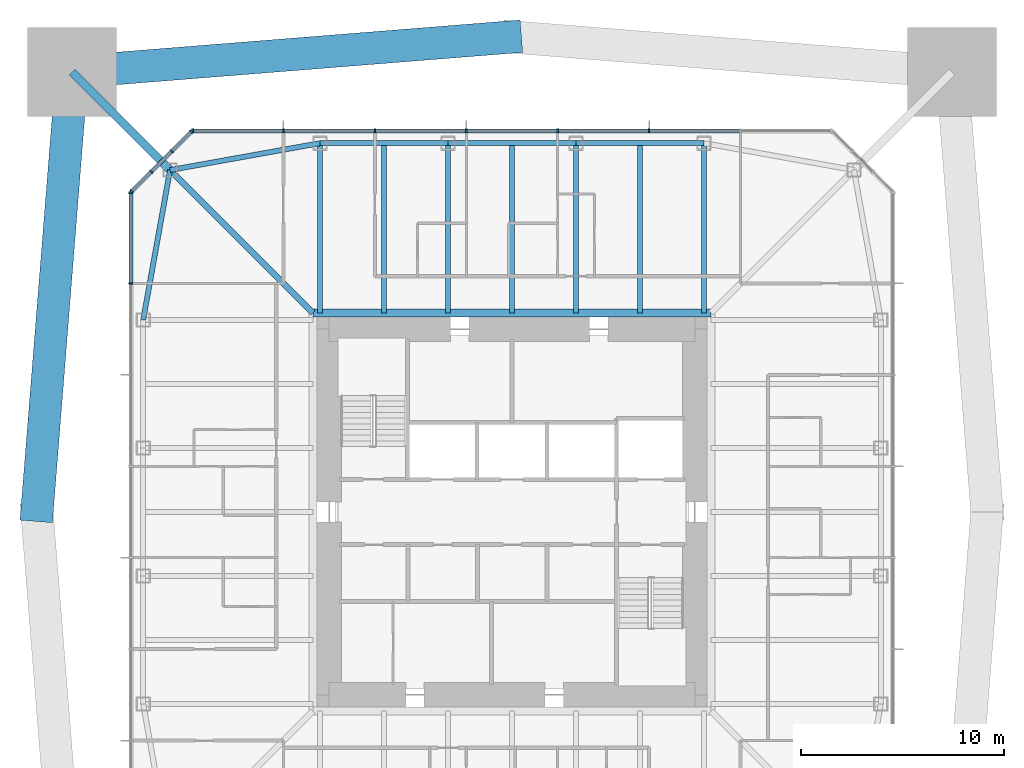
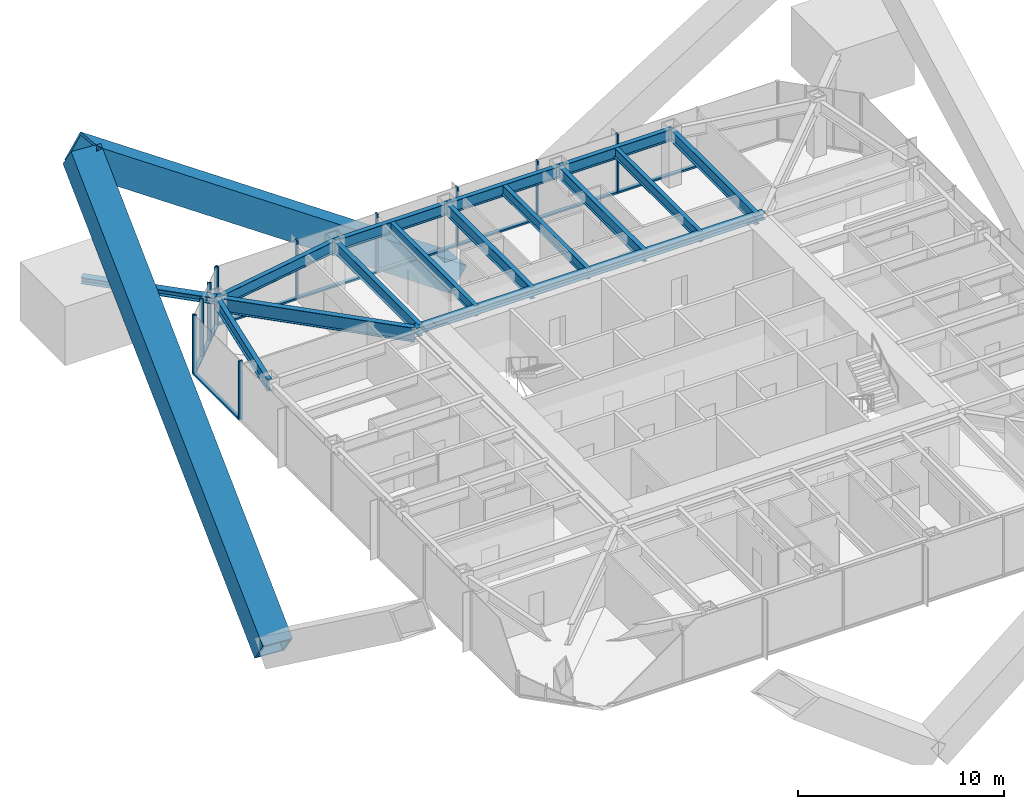
# One storey, part 5 of 13: 25 members, 14 beams, 3 elements without a shape of their own.
"""IFC4 building model written with IfcOpenShell, lengths in metres."""

import ifcopenshell
import ifcopenshell.guid

model = None  # the IFC model being written
_history = None  # IfcOwnerHistory: only IFC2X3 demands one
_inside = {}  # id of a spatial element -> (the spatial element, [elements in it])
_under = {}  # id of a project, library or spatial element -> (it, [spatial elements below it])
_declared = {}  # id of a project -> (the project, [libraries it declares])
_typed = {}  # id of a type object -> (the type object, [elements of that type])
_made_of = {}  # id of a material, layer set ... -> (it, [elements and type objects made of it])


def new_model(schema):
    """Start an empty IFC model of exactly this schema.

    Asked for "IFC4X3", IfcOpenShell would pick the latest addendum, in which some entities
    have other attributes; the version numbers below select the first issue.
    IFC2X3 requires an IfcOwnerHistory on every rooted entity: one is made here for all.
    """
    global model, _history
    if schema == "IFC4X3":
        model = ifcopenshell.file(schema_version=(4, 3, 0, 0))
    else:
        model = ifcopenshell.file(schema=schema)
    _inside.clear()
    _under.clear()
    _declared.clear()
    _typed.clear()
    _made_of.clear()
    _history = None
    if model.schema == "IFC2X3":
        org = make("IfcOrganization", Name="unknown")
        user = make(
            "IfcPersonAndOrganization",
            ThePerson=make("IfcPerson", FamilyName="unknown"),
            TheOrganization=org,
        )
        app = make(
            "IfcApplication",
            ApplicationDeveloper=org,
            Version="unknown",
            ApplicationFullName="unknown",
            ApplicationIdentifier="unknown",
        )
        _history = make(
            "IfcOwnerHistory",
            OwningUser=user,
            OwningApplication=app,
            ChangeAction="ADDED",
            CreationDate=0,
        )
    return model


def make(cls, **values):
    """One entity of the class cls with the attributes given. An attribute that is None is left unset."""
    return model.create_entity(
        cls, **{name: value for name, value in values.items() if value is not None}
    )


def rooted(cls, **values):
    """An entity with a GlobalId (a new one), such as an element, a storey or a relation."""
    return make(cls, GlobalId=ifcopenshell.guid.new(), OwnerHistory=_history, **values)


def si_unit(unit_type, name, prefix=None):
    """IfcSIUnit, for example si_unit("LENGTHUNIT", "METRE", prefix="MILLI")."""
    return make("IfcSIUnit", UnitType=unit_type, Prefix=prefix, Name=name)


def assignment(units):
    """IfcUnitAssignment: the units of a project."""
    return None if units is None else make("IfcUnitAssignment", Units=units)


def point(xyz):
    """IfcCartesianPoint."""
    return None if xyz is None else make("IfcCartesianPoint", Coordinates=xyz)


def direction(xyz):
    """IfcDirection."""
    return None if xyz is None else make("IfcDirection", DirectionRatios=xyz)


def frame(location, z_axis=None, x_axis=None):
    """IfcAxis2Placement3D, a coordinate frame: its origin and axes. An axis left out is left unset."""
    return make(
        "IfcAxis2Placement3D",
        Location=point(location),
        Axis=direction(z_axis),
        RefDirection=direction(x_axis),
    )


def frame_2d(location, x_axis=None):
    """IfcAxis2Placement2D, a coordinate frame in the plane: its origin and x axis."""
    return make(
        "IfcAxis2Placement2D", Location=point(location), RefDirection=direction(x_axis)
    )


def origin():
    """The frame at (0, 0, 0) with its axes left unset."""
    return frame((0.0, 0.0, 0.0))


def origin_2d():
    """The frame at (0, 0) in the plane with its x axis left unset."""
    return frame_2d((0.0, 0.0))


def place(relative_to, where):
    """IfcLocalPlacement: puts the frame where relative to a parent placement (None: the world)."""
    return make(
        "IfcLocalPlacement", PlacementRelTo=relative_to, RelativePlacement=where
    )


def context(
    kind, dimensions, precision=None, world=None, true_north=None, identifier=None
):
    """IfcGeometricRepresentationContext, for example the 3D "Model" context."""
    return make(
        "IfcGeometricRepresentationContext",
        ContextIdentifier=identifier,
        ContextType=kind,
        CoordinateSpaceDimension=dimensions,
        Precision=precision,
        WorldCoordinateSystem=world,
        TrueNorth=true_north,
    )


def subcontext(parent, identifier, kind, view, scale=None):
    """IfcGeometricRepresentationSubContext, for example "Body" below "Model"."""
    return make(
        "IfcGeometricRepresentationSubContext",
        ContextIdentifier=identifier,
        ContextType=kind,
        ParentContext=parent,
        TargetScale=scale,
        TargetView=view,
    )


def project(units=None, contexts=None):
    """IfcProject with its units and contexts."""
    return rooted(
        "IfcProject",
        Name="project",
        RepresentationContexts=contexts,
        UnitsInContext=assignment(units),
    )


def spatial(cls, under=None, at=None, **own):
    """A site, building, storey or space (cls), placed at a placement, below another one or the project."""
    s = rooted(cls, ObjectPlacement=at, **own)
    if under is not None:
        _under.setdefault(under.id(), (under, []))[1].append(s)
    return s


def profile(cls, at=None, kind="AREA", **sizes):
    """A parametric profile (cls). Its sizes go by their IFC names, for example OverallWidth=200.0."""
    return make(cls, ProfileType=kind, Position=at, **sizes)


def rectangle(**sizes):
    """IfcRectangleProfileDef."""
    return profile("IfcRectangleProfileDef", **sizes)


def hollow_rectangle(**sizes):
    """IfcRectangleHollowProfileDef."""
    return profile("IfcRectangleHollowProfileDef", **sizes)


def i_section(**sizes):
    """IfcIShapeProfileDef."""
    return profile("IfcIShapeProfileDef", **sizes)


def extrude(swept, where, along, depth):
    """IfcExtrudedAreaSolid: the profile swept, set in the frame where, extruded along a direction by depth."""
    return make(
        "IfcExtrudedAreaSolid",
        SweptArea=swept,
        Position=where,
        ExtrudedDirection=direction(along),
        Depth=depth,
    )


def shape(context_of_items, identifier, shape_type, items):
    """IfcShapeRepresentation: the items that make up one representation, for example the "Body"."""
    return make(
        "IfcShapeRepresentation",
        ContextOfItems=context_of_items,
        RepresentationIdentifier=identifier,
        RepresentationType=shape_type,
        Items=items,
    )


def material(Name=None, Category=None):
    """IfcMaterial."""
    return make("IfcMaterial", Name=Name, Category=Category)


def material_profile(
    of_material, cross_section, Name=None, Category=None, Priority=None
):
    """IfcMaterialProfile: a cross section and its material."""
    return make(
        "IfcMaterialProfile",
        Name=Name,
        Material=of_material,
        Profile=cross_section,
        Priority=Priority,
        Category=Category,
    )


def profile_set(profiles, Name=None, composite=None):
    """IfcMaterialProfileSet."""
    return make(
        "IfcMaterialProfileSet",
        Name=Name,
        MaterialProfiles=profiles,
        CompositeProfile=composite,
    )


def made_of(thing, what):
    """Note that an element or type object is made of a material, layer set ...; save() writes the relation."""
    if what is not None:
        _made_of.setdefault(what.id(), (what, []))[1].append(thing)
    return thing


def type_object(cls, material=None, **own):
    """A type object (cls), such as IfcWallType, which elements share."""
    return made_of(rooted(cls, **own), material)


def element(
    cls,
    number,
    at=None,
    inside=None,
    cuts=None,
    type_object=None,
    material=None,
    context=None,
    identifier="Body",
    shape_type=None,
    held_by="IfcProductDefinitionShape",
    body=None,
    shapes=None,
    **own,
):
    """One element of the class cls, such as IfcWall. Its Tag is "e" and its number.

    at: its placement. inside: the storey or other place that contains it. cuts: it is an
    opening in that element (IfcRelVoidsElement). A single representation is given by context,
    identifier, shape_type and body (its items); several are given by shapes. held_by: the class
    of the entity that holds the representations. save() writes the other relations.
    """
    e = rooted(cls, Tag="e%d" % number, ObjectPlacement=at, **own)
    if body is not None:
        shapes = [shape(context, identifier, shape_type, body)]
    if shapes is not None:
        e.Representation = make(held_by, Representations=shapes)
    if inside is not None:
        _inside.setdefault(inside.id(), (inside, []))[1].append(e)
    if cuts is not None:
        rooted(
            "IfcRelVoidsElement", RelatingBuildingElement=cuts, RelatedOpeningElement=e
        )
    if type_object is not None:
        _typed.setdefault(type_object.id(), (type_object, []))[1].append(e)
    return made_of(e, material)


def aggregate(whole, parts):
    """IfcRelAggregates: a whole, such as a stair, and the parts it consists of."""
    return rooted("IfcRelAggregates", RelatingObject=whole, RelatedObjects=parts)


def save(model, path):
    """Write the relations noted so far, then the file.

    IfcRelAggregates (storeys below a building ...), IfcRelContainedInSpatialStructure (elements
    in a storey), IfcRelDefinesByType, IfcRelAssociatesMaterial and IfcRelDeclares: one each for
    every whole, place, type object, material and project.
    """
    for whole, parts in _under.values():
        aggregate(whole, parts)
    for where, things in _inside.values():
        rooted(
            "IfcRelContainedInSpatialStructure",
            RelatedElements=things,
            RelatingStructure=where,
        )
    for kind, things in _typed.values():
        rooted("IfcRelDefinesByType", RelatedObjects=things, RelatingType=kind)
    for what, things in _made_of.values():
        rooted("IfcRelAssociatesMaterial", RelatedObjects=things, RelatingMaterial=what)
    for by, libraries in _declared.values():
        rooted("IfcRelDeclares", RelatingContext=by, RelatedDefinitions=libraries)
    model.write(path)


model = new_model("IFC4")

# Units and contexts
model_context = context("Model", 3, precision=1e-05, world=origin(), true_north=direction((0.0, 1.0)))
body_context = subcontext(model_context, "Body", "Model", "MODEL_VIEW")
ifc_project = project(units=[si_unit("LENGTHUNIT", "METRE"), si_unit("AREAUNIT", "SQUARE_METRE"), si_unit("VOLUMEUNIT", "CUBIC_METRE"), si_unit("PLANEANGLEUNIT", "RADIAN"), si_unit("MASSUNIT", "GRAM", prefix="KILO")], contexts=[model_context])

# Site, building, storey
site_placement = place(None, origin())
site = spatial("IfcSite", under=ifc_project, at=site_placement, CompositionType="ELEMENT")
building_placement = place(site_placement, origin())
building = spatial("IfcBuilding", under=site, at=building_placement, Name="Iwan Alto Co-Living Towers", CompositionType="ELEMENT")
storey_placement = place(building_placement, frame((0.0, 0.0, 167.0)))
storey = spatial("IfcBuildingStorey", under=building, at=storey_placement, Name="L45", CompositionType="ELEMENT", Elevation=167.0)

# Curtain wall, members
ifc_material_1 = material(Name="Bronze aluminium unitised frame", Category="aluminium")
curtain_wall_type_1 = type_object("IfcCurtainWallType", Name="CURTAIN WALL CW-A", PredefinedType="NOTDEFINED", material=ifc_material_1)
curtain_wall_1_placement = place(storey_placement, origin())
curtain_wall_1 = element("IfcCurtainWall", 1, at=curtain_wall_1_placement, inside=storey, type_object=curtain_wall_type_1, Name="T1 curtain wall N L45", PredefinedType="NOTDEFINED")
ifc_material_2 = material(Name="Aluminium 6063-T6 bronze anodised", Category="aluminium")
ifc_material_profile_1 = material_profile(ifc_material_2, rectangle(XDim=0.199951171875, YDim=0.080078125, at=origin_2d()), Name="AL 80X200")
ifc_profile_set_1 = profile_set([ifc_material_profile_1], Name="Aluminium 6063-T6 bronze anodised")
member_type_1 = type_object("IfcMemberType", Name="CW-A MULLION 80X200", PredefinedType="MULLION", material=ifc_profile_set_1)
member_1_placement = place(storey_placement, frame((6.75, 18.75, 0.0), z_axis=(0.0, 0.0, 1.0), x_axis=(0.0, -1.0, 0.0)))
member_1 = element("IfcMember", 2, at=member_1_placement, type_object=member_type_1, Name="CW-A mullion 3", PredefinedType="MULLION", context=body_context, shape_type="SweptSolid", body=[
    extrude(rectangle(XDim=0.199951171875, YDim=0.080078125, at=origin_2d()), origin(), (0.0, 0.0, 1.0), 3.5),
])
member_2_placement = place(storey_placement, frame((2.25, 18.75, 0.0), z_axis=(0.0, 0.0, 1.0), x_axis=(0.0, -1.0, 0.0)))
member_2 = element("IfcMember", 3, at=member_2_placement, type_object=member_type_1, Name="CW-A mullion 4", PredefinedType="MULLION", context=body_context, shape_type="SweptSolid", body=[
    extrude(rectangle(XDim=0.199951171875, YDim=0.080078125, at=origin_2d()), origin(), (0.0, 0.0, 1.0), 3.5),
])
member_3_placement = place(storey_placement, frame((-2.25, 18.75, 0.0), z_axis=(0.0, 0.0, 1.0), x_axis=(0.0, -1.0, 0.0)))
member_3 = element("IfcMember", 4, at=member_3_placement, type_object=member_type_1, Name="CW-A mullion 5", PredefinedType="MULLION", context=body_context, shape_type="SweptSolid", body=[
    extrude(rectangle(XDim=0.199951171875, YDim=0.080078125, at=origin_2d()), origin(), (0.0, 0.0, 1.0), 3.5),
])
member_4_placement = place(storey_placement, frame((-6.75, 18.75, 0.0), z_axis=(0.0, 0.0, 1.0), x_axis=(0.0, -1.0, 0.0)))
member_4 = element("IfcMember", 5, at=member_4_placement, type_object=member_type_1, Name="CW-A mullion 6", PredefinedType="MULLION", context=body_context, shape_type="SweptSolid", body=[
    extrude(rectangle(XDim=0.199951171875, YDim=0.080078125, at=origin_2d()), origin(), (0.0, 0.0, 1.0), 3.5),
])
member_5_placement = place(storey_placement, frame((-11.25, 18.75, 0.0), z_axis=(0.0, 0.0, 1.0), x_axis=(0.0, -1.0, 0.0)))
member_5 = element("IfcMember", 6, at=member_5_placement, type_object=member_type_1, Name="CW-A mullion 7", PredefinedType="MULLION", context=body_context, shape_type="SweptSolid", body=[
    extrude(rectangle(XDim=0.199951171875, YDim=0.080078125, at=origin_2d()), origin(), (0.0, 0.0, 1.0), 3.5),
])
member_6_placement = place(storey_placement, frame((-15.7099609375, 18.75, 0.0), z_axis=(0.0, 0.0, 1.0), x_axis=(0.0, -1.0, 0.0)))
member_6 = element("IfcMember", 7, at=member_6_placement, type_object=member_type_1, Name="CW-A mullion 8", PredefinedType="MULLION", context=body_context, shape_type="SweptSolid", body=[
    extrude(rectangle(XDim=0.199951171875, YDim=0.080078125, at=origin_2d()), origin(), (0.0, 0.0, 1.0), 3.5),
])

curtain_wall_2_placement = place(storey_placement, origin())
curtain_wall_2 = element("IfcCurtainWall", 8, at=curtain_wall_2_placement, inside=storey, type_object=curtain_wall_type_1, Name="T1 curtain wall W L45", PredefinedType="NOTDEFINED")
member_7_placement = place(storey_placement, frame((-18.75, 15.7099609375, 0.0), z_axis=(0.0, 0.0, 1.0), x_axis=(1.0, 0.0, 0.0)))
member_7 = element("IfcMember", 9, at=member_7_placement, type_object=member_type_1, Name="CW-A mullion 1", PredefinedType="MULLION", context=body_context, shape_type="SweptSolid", body=[
    extrude(rectangle(XDim=0.199951171875, YDim=0.080078125, at=origin_2d()), origin(), (0.0, 0.0, 1.0), 3.5),
])
member_8_placement = place(storey_placement, frame((-18.75, 11.25, 0.0), z_axis=(0.0, 0.0, 1.0), x_axis=(1.0, 0.0, 0.0)))
member_8 = element("IfcMember", 10, at=member_8_placement, type_object=member_type_1, Name="CW-A mullion 2", PredefinedType="MULLION", context=body_context, shape_type="SweptSolid", body=[
    extrude(rectangle(XDim=0.199951171875, YDim=0.080078125, at=origin_2d()), origin(), (0.0, 0.0, 1.0), 3.5),
])

# Member
ifc_material_3 = material(Name="Aluminium 6063-T6 bronze anodised", Category="aluminium")
ifc_material_profile_2 = material_profile(ifc_material_3, rectangle(XDim=0.199951171875, YDim=0.10009765625, at=origin_2d()), Name="AL 200X100")
ifc_profile_set_2 = profile_set([ifc_material_profile_2], Name="Aluminium 6063-T6 bronze anodised")
member_type_2 = type_object("IfcMemberType", Name="CW-A TRANSOM 200X100", PredefinedType="USERDEFINED", material=ifc_profile_set_2)
member_9_placement = place(storey_placement, frame((11.2099609375, 18.75, 0.050048828125), z_axis=(-1.0, 0.0, 0.0), x_axis=(0.0, -1.0, 0.0)))
member_9 = element("IfcMember", 11, at=member_9_placement, type_object=member_type_2, Name="CW-A transom 2.1", ObjectType="TRANSOM", PredefinedType="USERDEFINED", context=body_context, shape_type="SweptSolid", body=[
    extrude(rectangle(XDim=0.199951171875, YDim=0.10009765625, at=origin_2d()), origin(), (0.0, 0.0, 1.0), 4.419921875),
])

member_10_placement = place(storey_placement, frame((6.7099609375, 18.75, 0.050048828125), z_axis=(-1.0, 0.0, 0.0), x_axis=(0.0, -1.0, 0.0)))
member_10 = element("IfcMember", 12, at=member_10_placement, type_object=member_type_2, Name="CW-A transom 3.1", ObjectType="TRANSOM", PredefinedType="USERDEFINED", context=body_context, shape_type="SweptSolid", body=[
    extrude(rectangle(XDim=0.199951171875, YDim=0.10009765625, at=origin_2d()), origin(), (0.0, 0.0, 1.0), 4.419921875),
])

member_11_placement = place(storey_placement, frame((2.2099609375, 18.75, 0.050048828125), z_axis=(-1.0, 0.0, 0.0), x_axis=(0.0, -1.0, 0.0)))
member_11 = element("IfcMember", 13, at=member_11_placement, type_object=member_type_2, Name="CW-A transom 4.1", ObjectType="TRANSOM", PredefinedType="USERDEFINED", context=body_context, shape_type="SweptSolid", body=[
    extrude(rectangle(XDim=0.199951171875, YDim=0.10009765625, at=origin_2d()), origin(), (0.0, 0.0, 1.0), 4.419921875),
])

member_12_placement = place(storey_placement, frame((-2.2900390625, 18.75, 0.050048828125), z_axis=(-1.0, 0.0, 0.0), x_axis=(0.0, -1.0, 0.0)))
member_12 = element("IfcMember", 14, at=member_12_placement, type_object=member_type_2, Name="CW-A transom 5.1", ObjectType="TRANSOM", PredefinedType="USERDEFINED", context=body_context, shape_type="SweptSolid", body=[
    extrude(rectangle(XDim=0.199951171875, YDim=0.10009765625, at=origin_2d()), origin(), (0.0, 0.0, 1.0), 4.419921875),
])

member_13_placement = place(storey_placement, frame((-6.7900390625, 18.75, 0.050048828125), z_axis=(-1.0, 0.0, 0.0), x_axis=(0.0, -1.0, 0.0)))
member_13 = element("IfcMember", 15, at=member_13_placement, type_object=member_type_2, Name="CW-A transom 6.1", ObjectType="TRANSOM", PredefinedType="USERDEFINED", context=body_context, shape_type="SweptSolid", body=[
    extrude(rectangle(XDim=0.199951171875, YDim=0.10009765625, at=origin_2d()), origin(), (0.0, 0.0, 1.0), 4.419921875),
])

member_14_placement = place(storey_placement, frame((-11.2900390625, 18.75, 0.050048828125), z_axis=(-1.0, 0.0, 0.0), x_axis=(0.0, -1.0, 0.0)))
member_14 = element("IfcMember", 16, at=member_14_placement, type_object=member_type_2, Name="CW-A transom 7.1", ObjectType="TRANSOM", PredefinedType="USERDEFINED", context=body_context, shape_type="SweptSolid", body=[
    extrude(rectangle(XDim=0.199951171875, YDim=0.10009765625, at=origin_2d()), origin(), (0.0, 0.0, 1.0), 4.3798828125),
])

aggregate(curtain_wall_1, [member_1, member_2, member_3, member_4, member_5, member_6, member_9, member_10, member_11, member_12, member_13, member_14])

member_15_placement = place(storey_placement, frame((-18.75, 15.669921875, 0.050048828125), z_axis=(0.0, -1.0, 0.0), x_axis=(1.0, 0.0, 0.0)))
member_15 = element("IfcMember", 17, at=member_15_placement, type_object=member_type_2, Name="CW-A transom 1.1", ObjectType="TRANSOM", PredefinedType="USERDEFINED", context=body_context, shape_type="SweptSolid", body=[
    extrude(rectangle(XDim=0.199951171875, YDim=0.10009765625, at=origin_2d()), origin(), (0.0, 0.0, 1.0), 4.3798828125),
])

aggregate(curtain_wall_2, [member_7, member_8, member_15])

# Curtain wall, members
ifc_material_4 = material(Name="Bronze aluminium unitised frame", Category="aluminium")
curtain_wall_type_2 = type_object("IfcCurtainWallType", Name="CURTAIN WALL CW-B", PredefinedType="NOTDEFINED", material=ifc_material_4)
curtain_wall_3_placement = place(storey_placement, origin())
curtain_wall_3 = element("IfcCurtainWall", 18, at=curtain_wall_3_placement, inside=storey, type_object=curtain_wall_type_2, Name="T1 chamfer curtain wall NW L45", PredefinedType="NOTDEFINED")
ifc_material_5 = material(Name="Aluminium 6063-T6 bronze anodised", Category="aluminium")
ifc_material_profile_3 = material_profile(ifc_material_5, rectangle(XDim=0.199951171875, YDim=0.080078125, at=origin_2d()), Name="AL 80X200")
ifc_profile_set_3 = profile_set([ifc_material_profile_3], Name="Aluminium 6063-T6 bronze anodised")
member_type_3 = type_object("IfcMemberType", Name="CW-B MULLION 80X200", PredefinedType="MULLION", material=ifc_profile_set_3)
member_16_placement = place(storey_placement, frame((-15.7783203125, 18.7216796875, 0.0), z_axis=(0.0, 0.0, 1.0), x_axis=(0.707106781187, -0.707106781187, 0.0)))
member_16 = element("IfcMember", 19, at=member_16_placement, type_object=member_type_3, Name="CW-B mullion 1", PredefinedType="MULLION", context=body_context, shape_type="SweptSolid", body=[
    extrude(rectangle(XDim=0.199951171875, YDim=0.080078125, at=origin_2d()), origin(), (0.0, 0.0, 1.0), 3.5),
])
member_17_placement = place(storey_placement, frame((-16.75, 17.75, 0.0), z_axis=(0.0, 0.0, 1.0), x_axis=(0.707106781187, -0.707106781187, 0.0)))
member_17 = element("IfcMember", 20, at=member_17_placement, type_object=member_type_3, Name="CW-B mullion 2", PredefinedType="MULLION", context=body_context, shape_type="SweptSolid", body=[
    extrude(rectangle(XDim=0.199951171875, YDim=0.080078125, at=origin_2d()), origin(), (0.0, 0.0, 1.0), 3.5),
])
member_18_placement = place(storey_placement, frame((-17.75, 16.75, 0.0), z_axis=(0.0, 0.0, 1.0), x_axis=(0.707106781187, -0.707106781187, 0.0)))
member_18 = element("IfcMember", 21, at=member_18_placement, type_object=member_type_3, Name="CW-B mullion 3", PredefinedType="MULLION", context=body_context, shape_type="SweptSolid", body=[
    extrude(rectangle(XDim=0.199951171875, YDim=0.080078125, at=origin_2d()), origin(), (0.0, 0.0, 1.0), 3.5),
])
member_19_placement = place(storey_placement, frame((-18.7216796875, 15.7783203125, 0.0), z_axis=(0.0, 0.0, 1.0), x_axis=(0.707106781187, -0.707106781187, 0.0)))
member_19 = element("IfcMember", 22, at=member_19_placement, type_object=member_type_3, Name="CW-B mullion 4", PredefinedType="MULLION", context=body_context, shape_type="SweptSolid", body=[
    extrude(rectangle(XDim=0.199951171875, YDim=0.080078125, at=origin_2d()), origin(), (0.0, 0.0, 1.0), 3.5),
])
ifc_material_6 = material(Name="Aluminium 6063-T6 bronze anodised", Category="aluminium")
ifc_material_profile_4 = material_profile(ifc_material_6, rectangle(XDim=0.199951171875, YDim=0.10009765625, at=origin_2d()), Name="AL 200X100")
ifc_profile_set_4 = profile_set([ifc_material_profile_4], Name="Aluminium 6063-T6 bronze anodised")
member_type_4 = type_object("IfcMemberType", Name="CW-B TRANSOM 200X100", PredefinedType="USERDEFINED", material=ifc_profile_set_4)
member_20_placement = place(storey_placement, frame((-15.806640625, 18.693359375, 0.050048828125), z_axis=(-0.707106781187, -0.707106781187, 0.0), x_axis=(0.707106781187, -0.707106781187, 0.0)))
member_20 = element("IfcMember", 23, at=member_20_placement, type_object=member_type_4, Name="CW-B transom 1.1", ObjectType="TRANSOM", PredefinedType="USERDEFINED", context=body_context, shape_type="SweptSolid", body=[
    extrude(rectangle(XDim=0.199951171875, YDim=0.10009765625, at=origin_2d()), origin(), (0.0, 0.0, 1.0), 1.2939453125),
])
member_21_placement = place(storey_placement, frame((-16.7783203125, 17.7216796875, 0.050048828125), z_axis=(-0.707106781187, -0.707106781187, 0.0), x_axis=(0.707106781187, -0.707106781187, 0.0)))
member_21 = element("IfcMember", 24, at=member_21_placement, type_object=member_type_4, Name="CW-B transom 2.1", ObjectType="TRANSOM", PredefinedType="USERDEFINED", context=body_context, shape_type="SweptSolid", body=[
    extrude(rectangle(XDim=0.199951171875, YDim=0.10009765625, at=origin_2d()), origin(), (0.0, 0.0, 1.0), 1.334228515625),
])
member_22_placement = place(storey_placement, frame((-17.7783203125, 16.7216796875, 0.050048828125), z_axis=(-0.707106781187, -0.707106781187, 0.0), x_axis=(0.707106781187, -0.707106781187, 0.0)))
member_22 = element("IfcMember", 25, at=member_22_placement, type_object=member_type_4, Name="CW-B transom 3.1", ObjectType="TRANSOM", PredefinedType="USERDEFINED", context=body_context, shape_type="SweptSolid", body=[
    extrude(rectangle(XDim=0.199951171875, YDim=0.10009765625, at=origin_2d()), origin(), (0.0, 0.0, 1.0), 1.2939453125),
])
aggregate(curtain_wall_3, [member_16, member_17, member_18, member_19, member_20, member_21, member_22])

# Beams
ifc_material_7 = material(Name="Steel ASTM A992 Gr 50", Category="steel")
ifc_material_profile_5 = material_profile(ifc_material_7, i_section(OverallWidth=0.398681640625, OverallDepth=0.385986328125, WebThickness=0.02099609375, FlangeThickness=0.033203125, at=origin_2d()), Name="W14X176")
ifc_profile_set_5 = profile_set([ifc_material_profile_5], Name="Steel ASTM A992 Gr 50")
beam_type_1 = type_object("IfcBeamType", Name="T1 CORE LEDGER BEAM W14X176", PredefinedType="BEAM", material=ifc_profile_set_5)
beam_1_placement = place(storey_placement, frame((9.79931640625, 9.79931640625, 3.076904296875), z_axis=(-1.0, 0.0, 0.0), x_axis=(0.0, -1.0, 0.0)))
element("IfcBeam", 26, at=beam_1_placement, inside=storey, type_object=beam_type_1, Name="T1 core ledger beam N L46", PredefinedType="BEAM", context=body_context, shape_type="SweptSolid", body=[
    extrude(i_section(OverallWidth=0.398681640625, OverallDepth=0.385986328125, WebThickness=0.02099609375, FlangeThickness=0.033203125, at=origin_2d()), origin(), (0.0, 0.0, 1.0), 19.5986328125),
])
ifc_material_8 = material(Name="Steel ASTM A992 Gr 50", Category="steel")
ifc_material_profile_6 = material_profile(ifc_material_8, i_section(OverallWidth=0.2919921875, OverallDepth=0.8408203125, WebThickness=0.0146484375, FlangeThickness=0.021728515625, at=origin_2d()), Name="W33X130")
ifc_profile_set_6 = profile_set([ifc_material_profile_6], Name="Steel ASTM A992 Gr 50")
beam_type_2 = type_object("IfcBeamType", Name="T1 CORNER GIRDER W33X130", PredefinedType="BEAM", material=ifc_profile_set_6)
beam_2_placement = place(storey_placement, frame((-16.82568359375, 16.82568359375, 2.849609375), z_axis=(0.707106781187, -0.707106781187, 0.0), x_axis=(0.707106781187, 0.707106781187, 0.0)))
element("IfcBeam", 27, at=beam_2_placement, inside=storey, type_object=beam_type_2, Name="T1 corner girder CNW L46", PredefinedType="BEAM", context=body_context, shape_type="SweptSolid", body=[
    extrude(i_section(OverallWidth=0.2919921875, OverallDepth=0.8408203125, WebThickness=0.0146484375, FlangeThickness=0.021728515625, at=origin_2d()), origin(), (0.0, 0.0, 1.0), 9.936767578125),
])
ifc_material_9 = material(Name="Steel ASTM A992 Gr 50", Category="steel")
ifc_material_profile_7 = material_profile(ifc_material_9, i_section(OverallWidth=0.25390625, OverallDepth=0.683349609375, WebThickness=0.012451171875, FlangeThickness=0.018798828125, at=origin_2d()), Name="W27X94")
ifc_profile_set_7 = profile_set([ifc_material_profile_7], Name="Steel ASTM A992 Gr 50")
beam_type_3 = type_object("IfcBeamType", Name="T1 EDGE BEAM W27X94", PredefinedType="BEAM", material=ifc_profile_set_7)
beam_3_placement = place(storey_placement, frame((9.449951171875, 18.14990234375, 2.928466796875), z_axis=(-1.0, 0.0, 0.0), x_axis=(0.0, -1.0, 0.0)))
element("IfcBeam", 28, at=beam_3_placement, inside=storey, type_object=beam_type_3, Name="T1 edge beam N1 L46", PredefinedType="BEAM", context=body_context, shape_type="SweptSolid", body=[
    extrude(i_section(OverallWidth=0.25390625, OverallDepth=0.683349609375, WebThickness=0.012451171875, FlangeThickness=0.018798828125, at=origin_2d()), origin(), (0.0, 0.0, 1.0), 6.300048828125),
])
beam_4_placement = place(storey_placement, frame((3.14990234375, 18.14990234375, 2.928466796875), z_axis=(-1.0, 0.0, 0.0), x_axis=(0.0, -1.0, 0.0)))
element("IfcBeam", 29, at=beam_4_placement, inside=storey, type_object=beam_type_3, Name="T1 edge beam N2 L46", PredefinedType="BEAM", context=body_context, shape_type="SweptSolid", body=[
    extrude(i_section(OverallWidth=0.25390625, OverallDepth=0.683349609375, WebThickness=0.012451171875, FlangeThickness=0.018798828125, at=origin_2d()), origin(), (0.0, 0.0, 1.0), 6.2998046875),
])
beam_5_placement = place(storey_placement, frame((-3.14990234375, 18.14990234375, 2.928466796875), z_axis=(-1.0, 0.0, 0.0), x_axis=(0.0, -1.0, 0.0)))
element("IfcBeam", 30, at=beam_5_placement, inside=storey, type_object=beam_type_3, Name="T1 edge beam N3 L46", PredefinedType="BEAM", context=body_context, shape_type="SweptSolid", body=[
    extrude(i_section(OverallWidth=0.25390625, OverallDepth=0.683349609375, WebThickness=0.012451171875, FlangeThickness=0.018798828125, at=origin_2d()), origin(), (0.0, 0.0, 1.0), 6.300048828125),
])
for number, where, z_axis, x_axis, name in (
    (31, (-9.449951171875, 18.14990234375, 2.928466796875), (-0.98426263553, -0.17671181143, 0.0), (0.17671181143, -0.98426263553, 0.0), "T1 edge beam N4 L46"),
    (32, (-16.82568359375, 16.82568359375, 2.928466796875), (-0.17671181143, -0.98426263553, 0.0), (0.98426263553, -0.17671181143, 0.0), "T1 edge beam CNW L46"),
):
    element("IfcBeam", number, at=place(storey_placement, frame(where, z_axis=z_axis, x_axis=x_axis)), inside=storey, type_object=beam_type_3, Name=name, PredefinedType="BEAM", context=body_context, shape_type="SweptSolid", body=[
        extrude(i_section(OverallWidth=0.25390625, OverallDepth=0.683349609375, WebThickness=0.012451171875, FlangeThickness=0.018798828125, at=origin_2d()), origin(), (0.0, 0.0, 1.0), 7.49365234375),
    ])

# Members
ifc_material_10 = material(Name="Steel ASTM A572 Gr 42", Category="steel")
ifc_material_profile_8 = material_profile(ifc_material_10, hollow_rectangle(XDim=1.60009765625, YDim=1.60009765625, WallThickness=0.1201171875, at=origin_2d()), Name="BOX 1600X1600X120")
ifc_profile_set_8 = profile_set([ifc_material_profile_8], Name="Steel ASTM A572 Gr 42")
member_type_5 = type_object("IfcMemberType", Name="T1 MEGA BRACE BOX 1600X1600X120", PredefinedType="BRACE", material=ifc_profile_set_8)
for number, where, z_axis, x_axis, name in (
    (33, (0.0, 23.37548828125, -5.14501953125), (-0.808833616819, -0.064467353838, 0.584493062913), (0.07945212803, -0.996838682712, 0.0), "T1 mega brace Z3A N 1 upper"),
    (34, (-23.37548828125, 0.0, -5.14501953125), (0.064467353838, 0.808833616819, 0.584493062913), (-0.996838682712, 0.07945212803, 0.0), "T1 mega brace Z3A W 2 upper"),
):
    element("IfcMember", number, at=place(storey_placement, frame(where, z_axis=z_axis, x_axis=x_axis)), inside=storey, type_object=member_type_5, Name=name, PredefinedType="BRACE", context=body_context, shape_type="SweptSolid", body=[
        extrude(hollow_rectangle(XDim=1.60009765625, YDim=1.60009765625, WallThickness=0.1201171875, at=origin_2d()), origin(), (0.0, 0.0, 1.0), 26.766845703125),
    ])
ifc_material_11 = material(Name="Steel ASTM A992 Gr 50", Category="steel")
ifc_material_profile_9 = material_profile(ifc_material_11, i_section(OverallWidth=0.393798828125, OverallDepth=0.3759765625, WebThickness=0.017333984375, FlangeThickness=0.027587890625, at=origin_2d()), Name="W14X145")
ifc_profile_set_9 = profile_set([ifc_material_profile_9], Name="Steel ASTM A992 Gr 50")
member_type_6 = type_object("IfcMemberType", Name="T1 MEGA COLUMN FLOOR TIE W14X145", PredefinedType="STRUT", material=ifc_profile_set_9)
member_23_placement = place(storey_placement, frame((-21.64990234375, 21.64990234375, 3.08203125), z_axis=(0.707106781187, -0.707106781187, 0.0), x_axis=(0.707106781187, 0.707106781187, 0.0)))
element("IfcMember", 35, at=member_23_placement, inside=storey, type_object=member_type_6, Name="T1 mega column floor tie NW L46", PredefinedType="STRUT", context=body_context, shape_type="SweptSolid", body=[
    extrude(i_section(OverallWidth=0.393798828125, OverallDepth=0.3759765625, WebThickness=0.017333984375, FlangeThickness=0.027587890625, at=origin_2d()), origin(), (0.0, 0.0, 1.0), 6.822509765625),
])

# Beams
ifc_material_12 = material(Name="Steel ASTM A992 Gr 50", Category="steel")
ifc_material_profile_10 = material_profile(ifc_material_12, i_section(OverallWidth=0.25390625, OverallDepth=0.683349609375, WebThickness=0.012451171875, FlangeThickness=0.018798828125, at=origin_2d()), Name="W27X94")
ifc_profile_set_10 = profile_set([ifc_material_profile_10], Name="Steel ASTM A992 Gr 50")
beam_type_4 = type_object("IfcBeamType", Name="T1 RADIAL BEAM W27X94", PredefinedType="BEAM", material=ifc_profile_set_10)
for number, where, z_axis, x_axis, name in (
    (36, (9.449951171875, 18.14990234375, 2.928466796875), (0.0, -1.0, 0.0), (1.0, 0.0, 0.0), "T1 radial beam N1 L46"),
    (37, (3.14990234375, 18.14990234375, 2.928466796875), (0.0, -1.0, 0.0), (1.0, 0.0, 0.0), "T1 radial beam N2 L46"),
    (38, (-3.14990234375, 18.14990234375, 2.928466796875), (0.0, -1.0, 0.0), (1.0, 0.0, 0.0), "T1 radial beam N3 L46"),
    (39, (-9.449951171875, 18.14990234375, 2.928466796875), (0.0, -1.0, 0.0), (1.0, 0.0, 0.0), "T1 radial beam N4 L46"),
):
    element("IfcBeam", number, at=place(storey_placement, frame(where, z_axis=z_axis, x_axis=x_axis)), inside=storey, type_object=beam_type_4, Name=name, PredefinedType="BEAM", context=body_context, shape_type="SweptSolid", body=[
        extrude(i_section(OverallWidth=0.25390625, OverallDepth=0.683349609375, WebThickness=0.012451171875, FlangeThickness=0.018798828125, at=origin_2d()), origin(), (0.0, 0.0, 1.0), 8.3505859375),
    ])
ifc_material_13 = material(Name="Steel ASTM A992 Gr 50", Category="steel")
ifc_material_profile_11 = material_profile(ifc_material_13, i_section(OverallWidth=0.228271484375, OverallDepth=0.607177734375, WebThickness=0.01123046875, FlangeThickness=0.017333984375, at=origin_2d()), Name="W24X76")
ifc_profile_set_11 = profile_set([ifc_material_profile_11], Name="Steel ASTM A992 Gr 50")
beam_type_5 = type_object("IfcBeamType", Name="T1 SECONDARY BEAM W24X76", PredefinedType="JOIST", material=ifc_profile_set_11)
for number, where, z_axis, x_axis, name in (
    (40, (6.300048828125, 18.14990234375, 2.966552734375), (0.0, -1.0, 0.0), (1.0, 0.0, 0.0), "T1 secondary beam N1 L46"),
    (41, (0.0, 18.14990234375, 2.966552734375), (0.0, -1.0, 0.0), (1.0, 0.0, 0.0), "T1 secondary beam N2 L46"),
    (42, (-6.300048828125, 18.14990234375, 2.966552734375), (0.0, -1.0, 0.0), (1.0, 0.0, 0.0), "T1 secondary beam N3 L46"),
):
    element("IfcBeam", number, at=place(storey_placement, frame(where, z_axis=z_axis, x_axis=x_axis)), inside=storey, type_object=beam_type_5, Name=name, PredefinedType="JOIST", context=body_context, shape_type="SweptSolid", body=[
        extrude(i_section(OverallWidth=0.228271484375, OverallDepth=0.607177734375, WebThickness=0.01123046875, FlangeThickness=0.017333984375, at=origin_2d()), origin(), (0.0, 0.0, 1.0), 8.3505859375),
    ])

save(model, "model.ifc")
